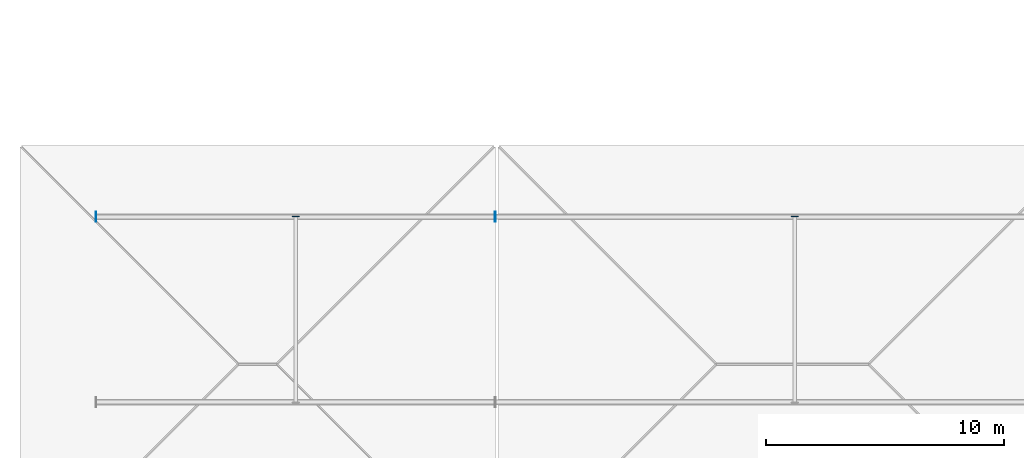
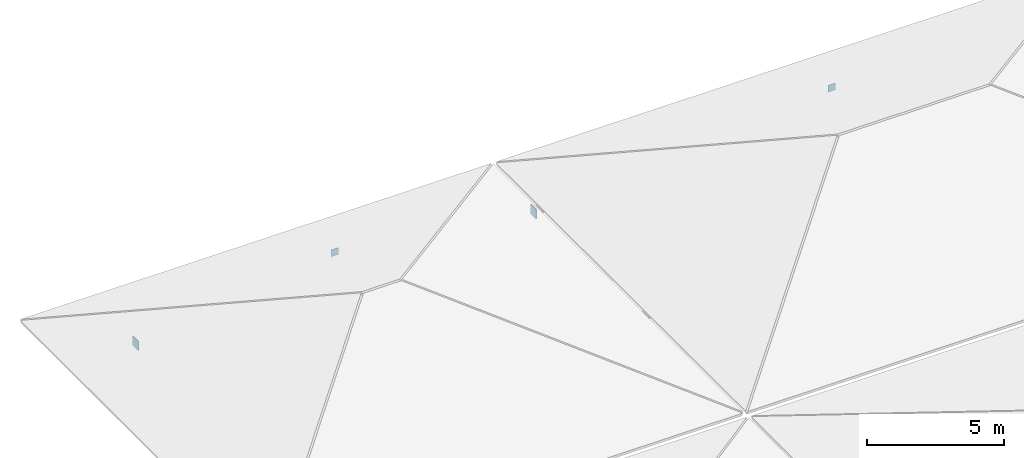
# One storey, part 24 of 41: 5 plates.
"""IFC4 building model written with IfcOpenShell, lengths in metres."""

from ifc_helpers import new_model, si_unit, direction, frame, origin, origin_2d, place, context, subcontext, project, spatial, rectangle, extrude, material, layer, layer_set, type_object, element, save


model = new_model("IFC4")

# Units and contexts
model_context = context("Model", 3, precision=1e-05, world=origin(), true_north=direction((0.0, 1.0)))
body_context = subcontext(model_context, "Body", "Model", "MODEL_VIEW")
ifc_project = project(units=[si_unit("LENGTHUNIT", "METRE"), si_unit("AREAUNIT", "SQUARE_METRE"), si_unit("VOLUMEUNIT", "CUBIC_METRE"), si_unit("PLANEANGLEUNIT", "RADIAN"), si_unit("MASSUNIT", "GRAM", prefix="KILO")], contexts=[model_context])

# Site, building, storey
site_placement = place(None, origin())
site = spatial("IfcSite", under=ifc_project, at=site_placement, CompositionType="ELEMENT")
building_placement = place(site_placement, origin())
building = spatial("IfcBuilding", under=site, at=building_placement, Name="Nabrawat Pavilion Hospital", CompositionType="ELEMENT")
storey_placement = place(building_placement, frame((0.0, 0.0, 18.89990234375)))
storey = spatial("IfcBuildingStorey", under=building, at=storey_placement, Name="L04", CompositionType="ELEMENT", Elevation=18.89990234375)

# Plates
ifc_material = material(Name="Steel S355", Category="steel")
ifc_layer_1 = layer(ifc_material, 0.030029296875, Name="Steel S355")
ifc_layer_set_1 = layer_set([ifc_layer_1], Name="Steel S355")
plate_type_1 = type_object("IfcPlateType", Name="Pavilion Splice Flange Plate 550x550x30", PredefinedType="USERDEFINED", material=ifc_layer_set_1)
for number, where, z_axis, x_axis, name in (
    (1, (25.199951171875, 101.4150390625, 0.61376953125), (0.0, 0.0, 1.0), (1.0, 0.0, 0.0), "Surgical West-North Pavilion Hollow Ridge Purlin End Cap Plate N"),
    (2, (46.199951171875, 101.4150390625, 0.61376953125), (0.0, 0.0, 1.0), (1.0, 0.0, 0.0), "Surgical East-North Pavilion Hollow Ridge Purlin End Cap Plate N"),
):
    element("IfcPlate", number, at=place(storey_placement, frame(where, z_axis=z_axis, x_axis=x_axis)), inside=storey, type_object=plate_type_1, Name=name, ObjectType="FLANGE PLATE", PredefinedType="USERDEFINED", context=body_context, shape_type="SweptSolid", body=[
        extrude(rectangle(XDim=0.300048828125, YDim=0.030029296875, at=origin_2d()), origin(), (0.0, 0.0, 1.0), 0.300048828125),
    ])
ifc_layer_2 = layer(ifc_material, 0.02001953125, Name="Steel S355")
ifc_layer_set_2 = layer_set([ifc_layer_2], Name="Steel S355")
plate_type_2 = type_object("IfcPlateType", Name="Space Frame Interior Gusset Node Plate 420x420x20", PredefinedType="USERDEFINED", material=ifc_layer_set_2)
for number, where, z_axis, x_axis, name in (
    (3, (16.7900390625, 101.39990234375, -0.559814453125), (0.0, 0.0, 1.0), (1.0, 0.0, 0.0), "Surgical West-North Pavilion Tie Chord End Cap Plate 02-W"),
    (4, (33.610107421875, 101.39990234375, -0.559814453125), (0.0, 0.0, 1.0), (1.0, 0.0, 0.0), "Surgical West-North Pavilion Tie Chord End Cap Plate 02-E"),
    (5, (33.590087890625, 101.39990234375, -0.559814453125), (0.0, 0.0, 1.0), (1.0, 0.0, 0.0), "Surgical East-North Pavilion Tie Chord End Cap Plate 02-W"),
):
    element("IfcPlate", number, at=place(storey_placement, frame(where, z_axis=z_axis, x_axis=x_axis)), inside=storey, type_object=plate_type_2, Name=name, ObjectType="GUSSET PLATE", PredefinedType="USERDEFINED", context=body_context, shape_type="SweptSolid", body=[
        extrude(rectangle(XDim=0.02001953125, YDim=0.419921875, at=origin_2d()), origin(), (0.0, 0.0, 1.0), 0.419921875),
    ])

save(model, "model.ifc")
